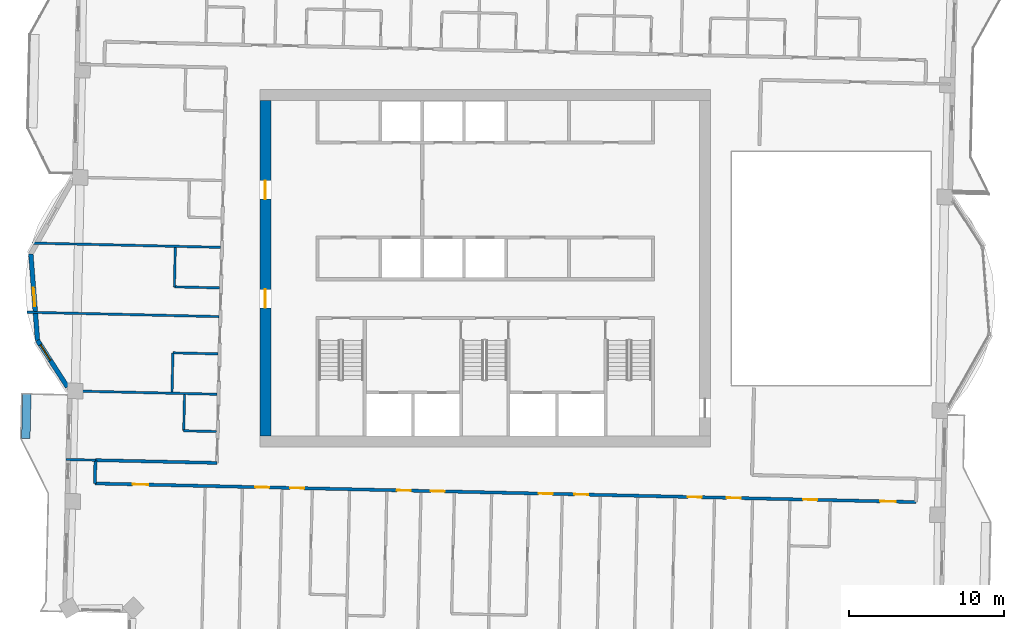
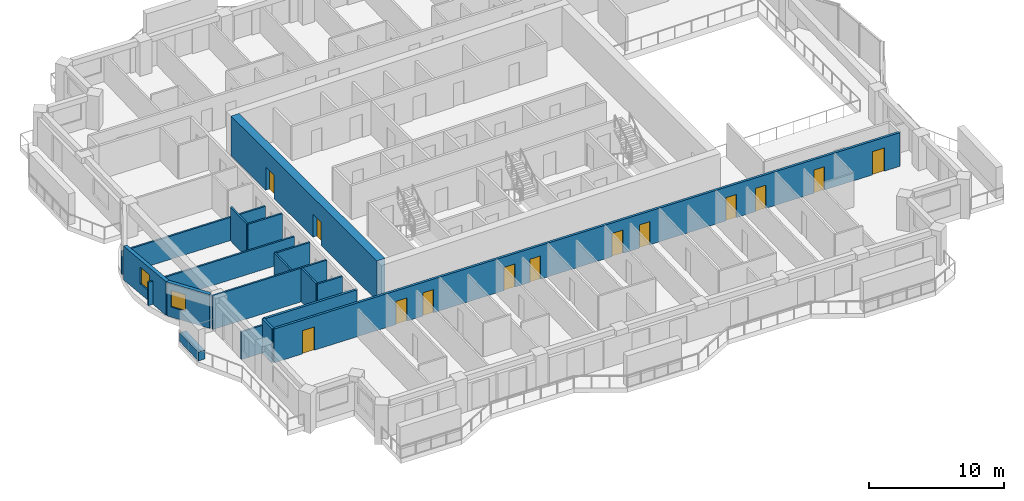
# One storey, part 7 of 17: 17 walls, 13 doors, 2 windows, 15 openings.
"""IFC4 building model written with IfcOpenShell, lengths in metres."""

import ifcopenshell
import ifcopenshell.guid

model = None  # the IFC model being written
_history = None  # IfcOwnerHistory: only IFC2X3 demands one
_inside = {}  # id of a spatial element -> (the spatial element, [elements in it])
_under = {}  # id of a project, library or spatial element -> (it, [spatial elements below it])
_declared = {}  # id of a project -> (the project, [libraries it declares])
_typed = {}  # id of a type object -> (the type object, [elements of that type])
_made_of = {}  # id of a material, layer set ... -> (it, [elements and type objects made of it])


def new_model(schema):
    """Start an empty IFC model of exactly this schema.

    Asked for "IFC4X3", IfcOpenShell would pick the latest addendum, in which some entities
    have other attributes; the version numbers below select the first issue.
    IFC2X3 requires an IfcOwnerHistory on every rooted entity: one is made here for all.
    """
    global model, _history
    if schema == "IFC4X3":
        model = ifcopenshell.file(schema_version=(4, 3, 0, 0))
    else:
        model = ifcopenshell.file(schema=schema)
    _inside.clear()
    _under.clear()
    _declared.clear()
    _typed.clear()
    _made_of.clear()
    _history = None
    if model.schema == "IFC2X3":
        org = make("IfcOrganization", Name="unknown")
        user = make(
            "IfcPersonAndOrganization",
            ThePerson=make("IfcPerson", FamilyName="unknown"),
            TheOrganization=org,
        )
        app = make(
            "IfcApplication",
            ApplicationDeveloper=org,
            Version="unknown",
            ApplicationFullName="unknown",
            ApplicationIdentifier="unknown",
        )
        _history = make(
            "IfcOwnerHistory",
            OwningUser=user,
            OwningApplication=app,
            ChangeAction="ADDED",
            CreationDate=0,
        )
    return model


def make(cls, **values):
    """One entity of the class cls with the attributes given. An attribute that is None is left unset."""
    return model.create_entity(
        cls, **{name: value for name, value in values.items() if value is not None}
    )


def rooted(cls, **values):
    """An entity with a GlobalId (a new one), such as an element, a storey or a relation."""
    return make(cls, GlobalId=ifcopenshell.guid.new(), OwnerHistory=_history, **values)


def si_unit(unit_type, name, prefix=None):
    """IfcSIUnit, for example si_unit("LENGTHUNIT", "METRE", prefix="MILLI")."""
    return make("IfcSIUnit", UnitType=unit_type, Prefix=prefix, Name=name)


def assignment(units):
    """IfcUnitAssignment: the units of a project."""
    return None if units is None else make("IfcUnitAssignment", Units=units)


def point(xyz):
    """IfcCartesianPoint."""
    return None if xyz is None else make("IfcCartesianPoint", Coordinates=xyz)


def direction(xyz):
    """IfcDirection."""
    return None if xyz is None else make("IfcDirection", DirectionRatios=xyz)


def frame(location, z_axis=None, x_axis=None):
    """IfcAxis2Placement3D, a coordinate frame: its origin and axes. An axis left out is left unset."""
    return make(
        "IfcAxis2Placement3D",
        Location=point(location),
        Axis=direction(z_axis),
        RefDirection=direction(x_axis),
    )


def frame_2d(location, x_axis=None):
    """IfcAxis2Placement2D, a coordinate frame in the plane: its origin and x axis."""
    return make(
        "IfcAxis2Placement2D", Location=point(location), RefDirection=direction(x_axis)
    )


def origin():
    """The frame at (0, 0, 0) with its axes left unset."""
    return frame((0.0, 0.0, 0.0))


def place(relative_to, where):
    """IfcLocalPlacement: puts the frame where relative to a parent placement (None: the world)."""
    return make(
        "IfcLocalPlacement", PlacementRelTo=relative_to, RelativePlacement=where
    )


def context(
    kind, dimensions, precision=None, world=None, true_north=None, identifier=None
):
    """IfcGeometricRepresentationContext, for example the 3D "Model" context."""
    return make(
        "IfcGeometricRepresentationContext",
        ContextIdentifier=identifier,
        ContextType=kind,
        CoordinateSpaceDimension=dimensions,
        Precision=precision,
        WorldCoordinateSystem=world,
        TrueNorth=true_north,
    )


def subcontext(parent, identifier, kind, view, scale=None):
    """IfcGeometricRepresentationSubContext, for example "Body" below "Model"."""
    return make(
        "IfcGeometricRepresentationSubContext",
        ContextIdentifier=identifier,
        ContextType=kind,
        ParentContext=parent,
        TargetScale=scale,
        TargetView=view,
    )


def project(units=None, contexts=None):
    """IfcProject with its units and contexts."""
    return rooted(
        "IfcProject",
        Name="project",
        RepresentationContexts=contexts,
        UnitsInContext=assignment(units),
    )


def spatial(cls, under=None, at=None, **own):
    """A site, building, storey or space (cls), placed at a placement, below another one or the project."""
    s = rooted(cls, ObjectPlacement=at, **own)
    if under is not None:
        _under.setdefault(under.id(), (under, []))[1].append(s)
    return s


def profile(cls, at=None, kind="AREA", **sizes):
    """A parametric profile (cls). Its sizes go by their IFC names, for example OverallWidth=200.0."""
    return make(cls, ProfileType=kind, Position=at, **sizes)


def rectangle(**sizes):
    """IfcRectangleProfileDef."""
    return profile("IfcRectangleProfileDef", **sizes)


def extrude(swept, where, along, depth):
    """IfcExtrudedAreaSolid: the profile swept, set in the frame where, extruded along a direction by depth."""
    return make(
        "IfcExtrudedAreaSolid",
        SweptArea=swept,
        Position=where,
        ExtrudedDirection=direction(along),
        Depth=depth,
    )


def shape(context_of_items, identifier, shape_type, items):
    """IfcShapeRepresentation: the items that make up one representation, for example the "Body"."""
    return make(
        "IfcShapeRepresentation",
        ContextOfItems=context_of_items,
        RepresentationIdentifier=identifier,
        RepresentationType=shape_type,
        Items=items,
    )


def material(Name=None, Category=None):
    """IfcMaterial."""
    return make("IfcMaterial", Name=Name, Category=Category)


def layer(
    of_material, thickness, ventilated=None, Name=None, Category=None, Priority=None
):
    """IfcMaterialLayer: one layer of a wall or slab, of a material (None: an air gap)."""
    return make(
        "IfcMaterialLayer",
        Material=of_material,
        LayerThickness=thickness,
        IsVentilated=ventilated,
        Name=Name,
        Category=Category,
        Priority=Priority,
    )


def layer_set(layers, Name=None):
    """IfcMaterialLayerSet."""
    return make("IfcMaterialLayerSet", MaterialLayers=layers, LayerSetName=Name)


def made_of(thing, what):
    """Note that an element or type object is made of a material, layer set ...; save() writes the relation."""
    if what is not None:
        _made_of.setdefault(what.id(), (what, []))[1].append(thing)
    return thing


def type_object(cls, material=None, **own):
    """A type object (cls), such as IfcWallType, which elements share."""
    return made_of(rooted(cls, **own), material)


def element(
    cls,
    number,
    at=None,
    inside=None,
    cuts=None,
    type_object=None,
    material=None,
    context=None,
    identifier="Body",
    shape_type=None,
    held_by="IfcProductDefinitionShape",
    body=None,
    shapes=None,
    **own,
):
    """One element of the class cls, such as IfcWall. Its Tag is "e" and its number.

    at: its placement. inside: the storey or other place that contains it. cuts: it is an
    opening in that element (IfcRelVoidsElement). A single representation is given by context,
    identifier, shape_type and body (its items); several are given by shapes. held_by: the class
    of the entity that holds the representations. save() writes the other relations.
    """
    e = rooted(cls, Tag="e%d" % number, ObjectPlacement=at, **own)
    if body is not None:
        shapes = [shape(context, identifier, shape_type, body)]
    if shapes is not None:
        e.Representation = make(held_by, Representations=shapes)
    if inside is not None:
        _inside.setdefault(inside.id(), (inside, []))[1].append(e)
    if cuts is not None:
        rooted(
            "IfcRelVoidsElement", RelatingBuildingElement=cuts, RelatedOpeningElement=e
        )
    if type_object is not None:
        _typed.setdefault(type_object.id(), (type_object, []))[1].append(e)
    return made_of(e, material)


def fill(opening, filler):
    """IfcRelFillsElement: the door or window that sits in an opening."""
    return rooted(
        "IfcRelFillsElement",
        RelatingOpeningElement=opening,
        RelatedBuildingElement=filler,
    )


def aggregate(whole, parts):
    """IfcRelAggregates: a whole, such as a stair, and the parts it consists of."""
    return rooted("IfcRelAggregates", RelatingObject=whole, RelatedObjects=parts)


def save(model, path):
    """Write the relations noted so far, then the file.

    IfcRelAggregates (storeys below a building ...), IfcRelContainedInSpatialStructure (elements
    in a storey), IfcRelDefinesByType, IfcRelAssociatesMaterial and IfcRelDeclares: one each for
    every whole, place, type object, material and project.
    """
    for whole, parts in _under.values():
        aggregate(whole, parts)
    for where, things in _inside.values():
        rooted(
            "IfcRelContainedInSpatialStructure",
            RelatedElements=things,
            RelatingStructure=where,
        )
    for kind, things in _typed.values():
        rooted("IfcRelDefinesByType", RelatedObjects=things, RelatingType=kind)
    for what, things in _made_of.values():
        rooted("IfcRelAssociatesMaterial", RelatedObjects=things, RelatingMaterial=what)
    for by, libraries in _declared.values():
        rooted("IfcRelDeclares", RelatingContext=by, RelatedDefinitions=libraries)
    model.write(path)


model = new_model("IFC4")

# Units and contexts
model_context = context("Model", 3, precision=1e-05, world=origin(), true_north=direction((0.0, 1.0)))
body_context = subcontext(model_context, "Body", "Model", "MODEL_VIEW")
ifc_project = project(units=[si_unit("LENGTHUNIT", "METRE"), si_unit("AREAUNIT", "SQUARE_METRE"), si_unit("VOLUMEUNIT", "CUBIC_METRE"), si_unit("PLANEANGLEUNIT", "RADIAN"), si_unit("MASSUNIT", "GRAM", prefix="KILO")], contexts=[model_context])

# Site, building, storey
site_placement = place(None, origin())
site = spatial("IfcSite", under=ifc_project, at=site_placement, CompositionType="ELEMENT")
building_placement = place(site_placement, origin())
building = spatial("IfcBuilding", under=site, at=building_placement, Name="Mangrove Gate Tower", CompositionType="ELEMENT")
storey_placement = place(building_placement, frame((0.0, 0.0, 268.10009765625)))
storey = spatial("IfcBuildingStorey", under=building, at=storey_placement, Name="L68", CompositionType="ELEMENT", Elevation=268.10009765625)

# Wall, openings, doors
ifc_material_1 = material(Name="Concrete C50/60", Category="concrete")
ifc_layer_1 = layer(ifc_material_1, 0.699951171875)
ifc_layer_set_1 = layer_set([ifc_layer_1], Name="Core wall 700 C50/60")
wall_type_1 = type_object("IfcWallType", Name="Core wall 700 C50/60", PredefinedType="SHEAR", material=ifc_layer_set_1)
wall_1_placement = place(storey_placement, frame((-14.14990234375, -10.800048828125, 0.0), z_axis=(0.0, 0.0, 1.0), x_axis=(0.0, 1.0, 0.0)))
wall_1 = element("IfcWall", 1, at=wall_1_placement, inside=storey, type_object=wall_type_1, Name="WALL-L68-CORE-3", PredefinedType="SHEAR", context=body_context, shape_type="SweptSolid", body=[
    extrude(rectangle(XDim=21.60009765625, YDim=0.699951171875, at=frame_2d((10.800048828125, 0.0))), origin(), (0.0, 0.0, 1.0), 3.599853515625),
])
opening_1_placement = place(wall_1_placement, frame((8.25, 0.0, 0.0)))
opening_1 = element("IfcOpeningElement", 2, at=opening_1_placement, cuts=wall_1, Name="Opening CD", PredefinedType="OPENING", context=body_context, shape_type="SweptSolid", body=[
    extrude(rectangle(XDim=1.199951171875, YDim=2.10009765625, at=frame_2d((0.60009765625, 1.050048828125))), frame((0.0, 0.35986328125, 0.0), z_axis=(0.0, -1.0, 0.0), x_axis=(1.0, 0.0, 0.0)), (0.0, 0.0, 1.0), 0.719970703125),
])
opening_2_placement = place(wall_1_placement, frame((15.25, 0.0, 0.0)))
opening_2 = element("IfcOpeningElement", 3, at=opening_2_placement, cuts=wall_1, Name="Opening CD", PredefinedType="OPENING", context=body_context, shape_type="SweptSolid", body=[
    extrude(rectangle(XDim=1.199951171875, YDim=2.10009765625, at=frame_2d((0.60009765625, 1.050048828125))), frame((0.0, 0.35986328125, 0.0), z_axis=(0.0, -1.0, 0.0), x_axis=(1.0, 0.0, 0.0)), (0.0, 0.0, 1.0), 0.719970703125),
])
ifc_material_2 = material(Name="Fire-rated steel door set", Category="steel")
door_type_1 = type_object("IfcDoorType", Name="Core ring door FD60 1200x2100", OperationType="DOUBLE_DOOR_SINGLE_SWING", PredefinedType="DOOR", material=ifc_material_2)
door_1_placement = place(opening_1_placement, origin())
door_1 = element("IfcDoor", 4, at=door_1_placement, inside=storey, type_object=door_type_1, Name="Core ring door W1", OperationType="DOUBLE_DOOR_SINGLE_SWING", OverallHeight=2.10009765625, OverallWidth=1.199951171875, PredefinedType="DOOR", context=body_context, shape_type="SweptSolid", body=[
    extrude(rectangle(XDim=1.199951171875, YDim=2.10009765625, at=frame_2d((0.60009765625, 1.050048828125))), frame((0.0, 0.02490234375, 0.0), z_axis=(0.0, -1.0, 0.0), x_axis=(1.0, 0.0, 0.0)), (0.0, 0.0, 1.0), 0.050048828125),
])
fill(opening_1, door_1)
door_2_placement = place(opening_2_placement, origin())
door_2 = element("IfcDoor", 5, at=door_2_placement, inside=storey, type_object=door_type_1, Name="Core ring door W2", OperationType="DOUBLE_DOOR_SINGLE_SWING", OverallHeight=2.10009765625, OverallWidth=1.199951171875, PredefinedType="DOOR", context=body_context, shape_type="SweptSolid", body=[
    extrude(rectangle(XDim=1.199951171875, YDim=2.10009765625, at=frame_2d((0.60009765625, 1.050048828125))), frame((0.0, 0.02490234375, 0.0), z_axis=(0.0, -1.0, 0.0), x_axis=(1.0, 0.0, 0.0)), (0.0, 0.0, 1.0), 0.050048828125),
])
fill(opening_2, door_2)

# Wall
ifc_material_3 = material(Name="Gypsum board on steel stud, EI 60", Category="steel")
ifc_layer_2 = layer(ifc_material_3, 0.199951171875)
ifc_layer_set_2 = layer_set([ifc_layer_2], Name="Corridor wall EI 60")
wall_type_2 = type_object("IfcWallType", Name="Corridor wall EI 60", PredefinedType="PARTITIONING", material=ifc_layer_set_2)
wall_2_placement = place(storey_placement, frame((-25.1240234375, -13.846923828125, 0.0), z_axis=(0.0, 0.0, 1.0), x_axis=(0.022617910375, 0.999744182344, 0.0)))
element("IfcWall", 6, at=wall_2_placement, inside=storey, type_object=wall_type_2, Name="WALL-L68-026", PredefinedType="PARTITIONING", context=body_context, shape_type="SweptSolid", body=[
    extrude(rectangle(XDim=1.50048828125, YDim=0.199951171875, at=frame_2d((0.750244140625, 0.0))), origin(), (0.0, 0.0, 1.0), 3.0498046875),
])

# Wall, openings, doors
wall_3_placement = place(storey_placement, frame((-25.1201171875, -13.846923828125, 0.0), z_axis=(0.0, 0.0, 1.0), x_axis=(0.999742852445, -0.022676617578, 0.0)))
wall_3 = element("IfcWall", 7, at=wall_3_placement, inside=storey, type_object=wall_type_2, Name="WALL-L68-027", PredefinedType="PARTITIONING", context=body_context, shape_type="SweptSolid", body=[
    extrude(rectangle(XDim=52.872802734375, YDim=0.199951171875, at=frame_2d((26.4365234375, 0.0))), origin(), (0.0, 0.0, 1.0), 3.0498046875),
])
opening_3_placement = place(wall_3_placement, frame((2.429931640625, 0.0, 0.0)))
opening_3 = element("IfcOpeningElement", 8, at=opening_3_placement, cuts=wall_3, Name="Opening AD", PredefinedType="OPENING", context=body_context, shape_type="SweptSolid", body=[
    extrude(rectangle(XDim=1.0, YDim=2.10009765625, at=frame_2d((0.5, 1.050048828125))), frame((0.0, 0.10986328125, 0.0), z_axis=(0.0, -1.0, 0.0), x_axis=(1.0, 0.0, 0.0)), (0.0, 0.0, 1.0), 0.219970703125),
])
opening_4_placement = place(wall_3_placement, frame((10.324951171875, 0.0, 0.0)))
opening_4 = element("IfcOpeningElement", 9, at=opening_4_placement, cuts=wall_3, Name="Opening BD", PredefinedType="OPENING", context=body_context, shape_type="SweptSolid", body=[
    extrude(rectangle(XDim=0.89990234375, YDim=2.10009765625, at=frame_2d((0.449951171875, 1.050048828125))), frame((0.0, 0.10986328125, 0.0), z_axis=(0.0, -1.0, 0.0), x_axis=(1.0, 0.0, 0.0)), (0.0, 0.0, 1.0), 0.219970703125),
])
opening_5_placement = place(wall_3_placement, frame((12.574951171875, 0.0, 0.0)))
opening_5 = element("IfcOpeningElement", 10, at=opening_5_placement, cuts=wall_3, Name="Opening BD", PredefinedType="OPENING", context=body_context, shape_type="SweptSolid", body=[
    extrude(rectangle(XDim=0.89990234375, YDim=2.10009765625, at=frame_2d((0.449951171875, 1.050048828125))), frame((0.0, 0.10986328125, 0.0), z_axis=(0.0, -1.0, 0.0), x_axis=(1.0, 0.0, 0.0)), (0.0, 0.0, 1.0), 0.219970703125),
])
opening_6_placement = place(wall_3_placement, frame((19.449951171875, 0.0, 0.0)))
opening_6 = element("IfcOpeningElement", 11, at=opening_6_placement, cuts=wall_3, Name="Opening BD", PredefinedType="OPENING", context=body_context, shape_type="SweptSolid", body=[
    extrude(rectangle(XDim=0.89990234375, YDim=2.10009765625, at=frame_2d((0.449951171875, 1.050048828125))), frame((0.0, 0.10986328125, 0.0), z_axis=(0.0, -1.0, 0.0), x_axis=(1.0, 0.0, 0.0)), (0.0, 0.0, 1.0), 0.219970703125),
])
opening_7_placement = place(wall_3_placement, frame((21.625, 0.0, 0.0)))
opening_7 = element("IfcOpeningElement", 12, at=opening_7_placement, cuts=wall_3, Name="Opening BD", PredefinedType="OPENING", context=body_context, shape_type="SweptSolid", body=[
    extrude(rectangle(XDim=0.89990234375, YDim=2.10009765625, at=frame_2d((0.449951171875, 1.050048828125))), frame((0.0, 0.10986328125, 0.0), z_axis=(0.0, -1.0, 0.0), x_axis=(1.0, 0.0, 0.0)), (0.0, 0.0, 1.0), 0.219970703125),
])
opening_8_placement = place(wall_3_placement, frame((28.574951171875, 0.0, 0.0)))
opening_8 = element("IfcOpeningElement", 13, at=opening_8_placement, cuts=wall_3, Name="Opening BD", PredefinedType="OPENING", context=body_context, shape_type="SweptSolid", body=[
    extrude(rectangle(XDim=0.89990234375, YDim=2.10009765625, at=frame_2d((0.449951171875, 1.050048828125))), frame((0.0, 0.10986328125, 0.0), z_axis=(0.0, -1.0, 0.0), x_axis=(1.0, 0.0, 0.0)), (0.0, 0.0, 1.0), 0.219970703125),
])
opening_9_placement = place(wall_3_placement, frame((30.875, 0.0, 0.0)))
opening_9 = element("IfcOpeningElement", 14, at=opening_9_placement, cuts=wall_3, Name="Opening BD", PredefinedType="OPENING", context=body_context, shape_type="SweptSolid", body=[
    extrude(rectangle(XDim=0.89990234375, YDim=2.10009765625, at=frame_2d((0.449951171875, 1.050048828125))), frame((0.0, 0.10986328125, 0.0), z_axis=(0.0, -1.0, 0.0), x_axis=(1.0, 0.0, 0.0)), (0.0, 0.0, 1.0), 0.219970703125),
])
opening_10_placement = place(wall_3_placement, frame((38.175048828125, 0.0, 0.0)))
opening_10 = element("IfcOpeningElement", 15, at=opening_10_placement, cuts=wall_3, Name="Opening BD", PredefinedType="OPENING", context=body_context, shape_type="SweptSolid", body=[
    extrude(rectangle(XDim=0.89990234375, YDim=2.10009765625, at=frame_2d((0.449951171875, 1.050048828125))), frame((0.0, 0.10986328125, 0.0), z_axis=(0.0, -1.0, 0.0), x_axis=(1.0, 0.0, 0.0)), (0.0, 0.0, 1.0), 0.219970703125),
])
opening_11_placement = place(wall_3_placement, frame((40.675048828125, 0.0, 0.0)))
opening_11 = element("IfcOpeningElement", 16, at=opening_11_placement, cuts=wall_3, Name="Opening BD", PredefinedType="OPENING", context=body_context, shape_type="SweptSolid", body=[
    extrude(rectangle(XDim=0.89990234375, YDim=2.10009765625, at=frame_2d((0.449951171875, 1.050048828125))), frame((0.0, 0.10986328125, 0.0), z_axis=(0.0, -1.0, 0.0), x_axis=(1.0, 0.0, 0.0)), (0.0, 0.0, 1.0), 0.219970703125),
])
opening_12_placement = place(wall_3_placement, frame((50.56103515625, 0.0, 0.0)))
opening_12 = element("IfcOpeningElement", 17, at=opening_12_placement, cuts=wall_3, Name="Opening AD", PredefinedType="OPENING", context=body_context, shape_type="SweptSolid", body=[
    extrude(rectangle(XDim=1.0, YDim=2.10009765625, at=frame_2d((0.5, 1.050048828125))), frame((0.0, 0.10986328125, 0.0), z_axis=(0.0, -1.0, 0.0), x_axis=(1.0, 0.0, 0.0)), (0.0, 0.0, 1.0), 0.219970703125),
])
opening_13_placement = place(wall_3_placement, frame((45.60009765625, 0.0, 0.0)))
opening_13 = element("IfcOpeningElement", 18, at=opening_13_placement, cuts=wall_3, Name="Opening SD", PredefinedType="OPENING", context=body_context, shape_type="SweptSolid", body=[
    extrude(rectangle(XDim=0.89990234375, YDim=2.10009765625, at=frame_2d((0.449951171875, 1.050048828125))), frame((0.0, 0.10986328125, 0.0), z_axis=(0.0, -1.0, 0.0), x_axis=(1.0, 0.0, 0.0)), (0.0, 0.0, 1.0), 0.219970703125),
])
ifc_material_4 = material(Name="Timber door leaf", Category="wood")
door_type_2 = type_object("IfcDoorType", Name="Amenity door 1000", OperationType="SINGLE_SWING_LEFT", PredefinedType="DOOR", material=ifc_material_4)
door_3_placement = place(opening_3_placement, origin())
door_3 = element("IfcDoor", 19, at=door_3_placement, inside=storey, type_object=door_type_2, Name="DOOR-L68-KIT-c1a", OperationType="SINGLE_SWING_LEFT", OverallHeight=2.10009765625, OverallWidth=1.0, PredefinedType="DOOR", context=body_context, shape_type="SweptSolid", body=[
    extrude(rectangle(XDim=1.0, YDim=2.10009765625, at=frame_2d((0.5, 1.050048828125))), frame((0.0, 0.02490234375, 0.0), z_axis=(0.0, -1.0, 0.0), x_axis=(1.0, 0.0, 0.0)), (0.0, 0.0, 1.0), 0.050048828125),
])
fill(opening_3, door_3)
door_4_placement = place(opening_12_placement, origin())
door_4 = element("IfcDoor", 20, at=door_4_placement, inside=storey, type_object=door_type_2, Name="DOOR-L68-KIT-c3a", OperationType="SINGLE_SWING_RIGHT", OverallHeight=2.10009765625, OverallWidth=1.0, PredefinedType="DOOR", context=body_context, shape_type="SweptSolid", body=[
    extrude(rectangle(XDim=1.0, YDim=2.10009765625, at=frame_2d((0.5, 1.050048828125))), frame((0.0, 0.02490234375, 0.0), z_axis=(0.0, -1.0, 0.0), x_axis=(1.0, 0.0, 0.0)), (0.0, 0.0, 1.0), 0.050048828125),
])
fill(opening_12, door_4)
ifc_material_5 = material(Name="Timber door leaf", Category="wood")
door_type_3 = type_object("IfcDoorType", Name="Bedroom door 900", OperationType="SINGLE_SWING_LEFT", PredefinedType="DOOR", material=ifc_material_5)
door_5_placement = place(opening_4_placement, origin())
door_5 = element("IfcDoor", 21, at=door_5_placement, inside=storey, type_object=door_type_3, Name="DOOR-L68-BED-c101", OperationType="SINGLE_SWING_LEFT", OverallHeight=2.10009765625, OverallWidth=0.89990234375, PredefinedType="DOOR", context=body_context, shape_type="SweptSolid", body=[
    extrude(rectangle(XDim=0.89990234375, YDim=2.10009765625, at=frame_2d((0.449951171875, 1.050048828125))), frame((0.0, 0.02490234375, 0.0), z_axis=(0.0, -1.0, 0.0), x_axis=(1.0, 0.0, 0.0)), (0.0, 0.0, 1.0), 0.050048828125),
])
fill(opening_4, door_5)
door_6_placement = place(opening_5_placement, origin())
door_6 = element("IfcDoor", 22, at=door_6_placement, inside=storey, type_object=door_type_3, Name="DOOR-L68-BED-c102", OperationType="SINGLE_SWING_RIGHT", OverallHeight=2.10009765625, OverallWidth=0.89990234375, PredefinedType="DOOR", context=body_context, shape_type="SweptSolid", body=[
    extrude(rectangle(XDim=0.89990234375, YDim=2.10009765625, at=frame_2d((0.449951171875, 1.050048828125))), frame((0.0, 0.02490234375, 0.0), z_axis=(0.0, -1.0, 0.0), x_axis=(1.0, 0.0, 0.0)), (0.0, 0.0, 1.0), 0.050048828125),
])
fill(opening_5, door_6)
door_7_placement = place(opening_6_placement, origin())
door_7 = element("IfcDoor", 23, at=door_7_placement, inside=storey, type_object=door_type_3, Name="DOOR-L68-BED-c103", OperationType="SINGLE_SWING_LEFT", OverallHeight=2.10009765625, OverallWidth=0.89990234375, PredefinedType="DOOR", context=body_context, shape_type="SweptSolid", body=[
    extrude(rectangle(XDim=0.89990234375, YDim=2.10009765625, at=frame_2d((0.449951171875, 1.050048828125))), frame((0.0, 0.02490234375, 0.0), z_axis=(0.0, -1.0, 0.0), x_axis=(1.0, 0.0, 0.0)), (0.0, 0.0, 1.0), 0.050048828125),
])
fill(opening_6, door_7)
door_8_placement = place(opening_7_placement, origin())
door_8 = element("IfcDoor", 24, at=door_8_placement, inside=storey, type_object=door_type_3, Name="DOOR-L68-BED-c104", OperationType="SINGLE_SWING_RIGHT", OverallHeight=2.10009765625, OverallWidth=0.89990234375, PredefinedType="DOOR", context=body_context, shape_type="SweptSolid", body=[
    extrude(rectangle(XDim=0.89990234375, YDim=2.10009765625, at=frame_2d((0.449951171875, 1.050048828125))), frame((0.0, 0.02490234375, 0.0), z_axis=(0.0, -1.0, 0.0), x_axis=(1.0, 0.0, 0.0)), (0.0, 0.0, 1.0), 0.050048828125),
])
fill(opening_7, door_8)
door_9_placement = place(opening_8_placement, origin())
door_9 = element("IfcDoor", 25, at=door_9_placement, inside=storey, type_object=door_type_3, Name="DOOR-L68-BED-c205", OperationType="SINGLE_SWING_LEFT", OverallHeight=2.10009765625, OverallWidth=0.89990234375, PredefinedType="DOOR", context=body_context, shape_type="SweptSolid", body=[
    extrude(rectangle(XDim=0.89990234375, YDim=2.10009765625, at=frame_2d((0.449951171875, 1.050048828125))), frame((0.0, 0.02490234375, 0.0), z_axis=(0.0, -1.0, 0.0), x_axis=(1.0, 0.0, 0.0)), (0.0, 0.0, 1.0), 0.050048828125),
])
fill(opening_8, door_9)
door_10_placement = place(opening_9_placement, origin())
door_10 = element("IfcDoor", 26, at=door_10_placement, inside=storey, type_object=door_type_3, Name="DOOR-L68-BED-c206", OperationType="SINGLE_SWING_RIGHT", OverallHeight=2.10009765625, OverallWidth=0.89990234375, PredefinedType="DOOR", context=body_context, shape_type="SweptSolid", body=[
    extrude(rectangle(XDim=0.89990234375, YDim=2.10009765625, at=frame_2d((0.449951171875, 1.050048828125))), frame((0.0, 0.02490234375, 0.0), z_axis=(0.0, -1.0, 0.0), x_axis=(1.0, 0.0, 0.0)), (0.0, 0.0, 1.0), 0.050048828125),
])
fill(opening_9, door_10)
door_11_placement = place(opening_10_placement, origin())
door_11 = element("IfcDoor", 27, at=door_11_placement, inside=storey, type_object=door_type_3, Name="DOOR-L68-BED-c207", OperationType="SINGLE_SWING_LEFT", OverallHeight=2.10009765625, OverallWidth=0.89990234375, PredefinedType="DOOR", context=body_context, shape_type="SweptSolid", body=[
    extrude(rectangle(XDim=0.89990234375, YDim=2.10009765625, at=frame_2d((0.449951171875, 1.050048828125))), frame((0.0, 0.02490234375, 0.0), z_axis=(0.0, -1.0, 0.0), x_axis=(1.0, 0.0, 0.0)), (0.0, 0.0, 1.0), 0.050048828125),
])
fill(opening_10, door_11)
door_12_placement = place(opening_11_placement, origin())
door_12 = element("IfcDoor", 28, at=door_12_placement, inside=storey, type_object=door_type_3, Name="DOOR-L68-BED-c308", OperationType="SINGLE_SWING_RIGHT", OverallHeight=2.10009765625, OverallWidth=0.89990234375, PredefinedType="DOOR", context=body_context, shape_type="SweptSolid", body=[
    extrude(rectangle(XDim=0.89990234375, YDim=2.10009765625, at=frame_2d((0.449951171875, 1.050048828125))), frame((0.0, 0.02490234375, 0.0), z_axis=(0.0, -1.0, 0.0), x_axis=(1.0, 0.0, 0.0)), (0.0, 0.0, 1.0), 0.050048828125),
])
fill(opening_11, door_12)
ifc_material_6 = material(Name="Timber door leaf", Category="wood")
door_type_4 = type_object("IfcDoorType", Name="Service room door 900", OperationType="SINGLE_SWING_LEFT", PredefinedType="DOOR", material=ifc_material_6)
door_13_placement = place(opening_13_placement, origin())
door_13 = element("IfcDoor", 29, at=door_13_placement, inside=storey, type_object=door_type_4, Name="DOOR-L68-AWC-c3a", OperationType="SINGLE_SWING_LEFT", OverallHeight=2.10009765625, OverallWidth=0.89990234375, PredefinedType="DOOR", context=body_context, shape_type="SweptSolid", body=[
    extrude(rectangle(XDim=0.89990234375, YDim=2.10009765625, at=frame_2d((0.449951171875, 1.050048828125))), frame((0.0, 0.02490234375, 0.0), z_axis=(0.0, -1.0, 0.0), x_axis=(1.0, 0.0, 0.0)), (0.0, 0.0, 1.0), 0.050048828125),
])
fill(opening_13, door_13)

# Wall
wall_4_placement = place(storey_placement, frame((-25.0859375, -12.346923828125, 0.0), z_axis=(0.0, 0.0, 1.0), x_axis=(0.999741690667, -0.022727779103, 0.0)))
element("IfcWall", 30, at=wall_4_placement, inside=storey, type_object=wall_type_2, Name="WALL-L68-030", PredefinedType="PARTITIONING", context=body_context, shape_type="SweptSolid", body=[
    extrude(rectangle(XDim=7.830810546875, YDim=0.199951171875, at=frame_2d((3.91552734375, 0.0))), origin(), (0.0, 0.0, 1.0), 3.0498046875),
])

# Wall, opening, window
ifc_material_7 = material(Name="Limestone", Category="masonry")
ifc_layer_3 = layer(ifc_material_7, 0.0400390625, Name="Limestone cladding")
ifc_material_8 = material(Name="Ventilated air gap")
ifc_layer_4 = layer(ifc_material_8, 0.0400390625, Name="Ventilated cavity")
ifc_material_9 = material(Name="Mineral wool insulation")
ifc_layer_5 = layer(ifc_material_9, 0.06005859375, Name="Insulation")
ifc_material_10 = material(Name="Breather membrane")
ifc_layer_6 = layer(ifc_material_10, 0.001953125, Name="Breather membrane")
ifc_material_11 = material(Name="Concrete C20/25 blockwork", Category="masonry")
ifc_layer_7 = layer(ifc_material_11, 0.14990234375, Name="Blockwork backing wall")
ifc_material_12 = material(Name="Gypsum plaster")
ifc_layer_8 = layer(ifc_material_12, 0.008056640625, Name="Internal plaster")
ifc_layer_set_3 = layer_set([ifc_layer_3, ifc_layer_4, ifc_layer_5, ifc_layer_6, ifc_layer_7, ifc_layer_8], Name="External wall 300 limestone cladding")
wall_type_3 = type_object("IfcWallType", Name="External wall 300 limestone cladding", PredefinedType="SOLIDWALL", material=ifc_layer_set_3)
wall_5_placement = place(storey_placement, frame((-29.2470703125, 0.924072265625, 0.0), z_axis=(0.0, 0.0, 1.0), x_axis=(0.076961115238, -0.997034095075, 0.0)))
wall_5 = element("IfcWall", 31, at=wall_5_placement, inside=storey, type_object=wall_type_3, Name="WALL-L68-W9f2", PredefinedType="SOLIDWALL", context=body_context, shape_type="SweptSolid", body=[
    extrude(rectangle(XDim=5.57373046875, YDim=0.300048828125, at=frame_2d((2.786865234375, 0.0))), origin(), (0.0, 0.0, 1.0), 3.0498046875),
])
opening_14_placement = place(wall_5_placement, frame((2.172119140625, 0.0, 0.89990234375)))
opening_14 = element("IfcOpeningElement", 32, at=opening_14_placement, cuts=wall_5, Name="Opening W1", PredefinedType="OPENING", context=body_context, shape_type="SweptSolid", body=[
    extrude(rectangle(XDim=1.199951171875, YDim=1.5, at=frame_2d((0.60009765625, 0.75))), frame((0.0, 0.159912109375, 0.0), z_axis=(0.0, -1.0, 0.0), x_axis=(1.0, 0.0, 0.0)), (0.0, 0.0, 1.0), 0.320068359375),
])
ifc_material_13 = material(Name="Aluminium frame with double-glazed low-e glass", Category="aluminium")
window_type = type_object("IfcWindowType", Name="Side lite 1200x1500", PartitioningType="SINGLE_PANEL", PredefinedType="WINDOW", material=ifc_material_13)
window_1_placement = place(opening_14_placement, origin())
window_1 = element("IfcWindow", 33, at=window_1_placement, inside=storey, type_object=window_type, Name="WIN-L68-W9f2", OverallHeight=1.5, OverallWidth=1.199951171875, PartitioningType="SINGLE_PANEL", PredefinedType="WINDOW", context=body_context, shape_type="SweptSolid", body=[
    extrude(rectangle(XDim=1.199951171875, YDim=1.5, at=frame_2d((0.60009765625, 0.75))), frame((0.0, 0.030029296875, 0.0), z_axis=(0.0, -1.0, 0.0), x_axis=(1.0, 0.0, 0.0)), (0.0, 0.0, 1.0), 0.06005859375),
])
fill(opening_14, window_1)

wall_6_placement = place(storey_placement, frame((-28.818115234375, -4.633056640625, 0.0), z_axis=(0.0, 0.0, 1.0), x_axis=(0.540633100578, -0.841258492117, 0.0)))
wall_6 = element("IfcWall", 34, at=wall_6_placement, inside=storey, type_object=wall_type_3, Name="WALL-L68-W9f3", PredefinedType="SOLIDWALL", context=body_context, shape_type="SweptSolid", body=[
    extrude(rectangle(XDim=3.568359375, YDim=0.300048828125, at=frame_2d((1.7841796875, 0.0))), origin(), (0.0, 0.0, 1.0), 3.0498046875),
])
opening_15_placement = place(wall_6_placement, frame((0.337890625, 0.0, 0.89990234375)))
opening_15 = element("IfcOpeningElement", 35, at=opening_15_placement, cuts=wall_6, Name="Opening W1", PredefinedType="OPENING", context=body_context, shape_type="SweptSolid", body=[
    extrude(rectangle(XDim=1.199951171875, YDim=1.5, at=frame_2d((0.60009765625, 0.75))), frame((0.0, 0.159912109375, 0.0), z_axis=(0.0, -1.0, 0.0), x_axis=(1.0, 0.0, 0.0)), (0.0, 0.0, 1.0), 0.320068359375),
])
window_2_placement = place(opening_15_placement, origin())
window_2 = element("IfcWindow", 36, at=window_2_placement, inside=storey, type_object=window_type, Name="WIN-L68-W9f3", OverallHeight=1.5, OverallWidth=1.199951171875, PartitioningType="SINGLE_PANEL", PredefinedType="WINDOW", context=body_context, shape_type="SweptSolid", body=[
    extrude(rectangle(XDim=1.199951171875, YDim=1.5, at=frame_2d((0.60009765625, 0.75))), frame((0.0, 0.030029296875, 0.0), z_axis=(0.0, -1.0, 0.0), x_axis=(1.0, 0.0, 0.0)), (0.0, 0.0, 1.0), 0.06005859375),
])
fill(opening_15, window_2)

# Walls
ifc_material_14 = material(Name="Gypsum board on steel stud, EI 60", Category="steel")
ifc_layer_9 = layer(ifc_material_14, 0.14990234375)
ifc_layer_set_4 = layer_set([ifc_layer_9], Name="Party wall 150 EI 60")
wall_type_4 = type_object("IfcWallType", Name="Party wall 150 EI 60", PredefinedType="PARTITIONING", material=ifc_layer_set_4)
wall_7_placement = place(storey_placement, frame((-26.985107421875, -12.303955078125, 0.0), z_axis=(0.0, 0.0, 1.0), x_axis=(0.999744152544, -0.022619227516, 0.0)))
element("IfcWall", 37, at=wall_7_placement, inside=storey, type_object=wall_type_4, Name="WALL-L68-029", PredefinedType="PARTITIONING", context=body_context, shape_type="SweptSolid", body=[
    extrude(rectangle(XDim=1.899658203125, YDim=0.14990234375, at=frame_2d((0.94970703125, 0.0))), origin(), (0.0, 0.0, 1.0), 2.5),
])
wall_8_placement = place(storey_placement, frame((-19.409912109375, -10.4560546875, 0.0), z_axis=(0.0, 0.0, 1.0), x_axis=(0.999750703499, -0.022327804475, 0.0)))
element("IfcWall", 38, at=wall_8_placement, inside=storey, type_object=wall_type_4, Name="WALL-L68-035", PredefinedType="PARTITIONING", context=body_context, shape_type="SweptSolid", body=[
    extrude(rectangle(XDim=2.099365234375, YDim=0.14990234375, at=frame_2d((1.0498046875, 0.0))), origin(), (0.0, 0.0, 1.0), 3.0498046875),
])
wall_9_placement = place(storey_placement, frame((-19.405029296875, -10.450927734375, 0.0), z_axis=(0.0, 0.0, 1.0), x_axis=(0.022781023197, 0.999740478815, 0.0)))
element("IfcWall", 39, at=wall_9_placement, inside=storey, type_object=wall_type_4, Name="WALL-L68-036", PredefinedType="PARTITIONING", context=body_context, shape_type="SweptSolid", body=[
    extrude(rectangle(XDim=2.325439453125, YDim=0.14990234375, at=frame_2d((1.16259765625, 0.0))), origin(), (0.0, 0.0, 1.0), 3.0498046875),
])
wall_10_placement = place(storey_placement, frame((-26.885009765625, -7.885009765625, 0.0), z_axis=(0.0, 0.0, 1.0), x_axis=(0.999741468995, -0.022737527832, 0.0)))
element("IfcWall", 40, at=wall_10_placement, inside=storey, type_object=wall_type_4, Name="WALL-L68-037", PredefinedType="PARTITIONING", context=body_context, shape_type="SweptSolid", body=[
    extrude(rectangle(XDim=9.63134765625, YDim=0.14990234375, at=frame_2d((4.815673828125, 0.0))), origin(), (0.0, 0.0, 1.0), 3.0498046875),
])
wall_11_placement = place(storey_placement, frame((-20.158935546875, -7.9580078125, 0.0), z_axis=(0.0, 0.0, 1.0), x_axis=(0.022919108675, 0.999737322729, 0.0)))
element("IfcWall", 41, at=wall_11_placement, inside=storey, type_object=wall_type_4, Name="WALL-L68-038", PredefinedType="PARTITIONING", context=body_context, shape_type="SweptSolid", body=[
    extrude(rectangle(XDim=2.524658203125, YDim=0.14990234375, at=frame_2d((1.26220703125, 0.0))), origin(), (0.0, 0.0, 1.0), 3.0498046875),
])
wall_12_placement = place(storey_placement, frame((-20.096923828125, -5.43896484375, 0.0), z_axis=(0.0, 0.0, 1.0), x_axis=(0.999741748633, -0.022725229174, 0.0)))
element("IfcWall", 42, at=wall_12_placement, inside=storey, type_object=wall_type_4, Name="WALL-L68-039", PredefinedType="PARTITIONING", context=body_context, shape_type="SweptSolid", body=[
    extrude(rectangle(XDim=2.900634765625, YDim=0.14990234375, at=frame_2d((1.4501953125, 0.0))), origin(), (0.0, 0.0, 1.0), 3.0498046875),
])
wall_13_placement = place(storey_placement, frame((-29.48291015625, -2.824951171875, 0.0), z_axis=(0.0, 0.0, 1.0), x_axis=(0.999742611035, -0.022687258129, 0.0)))
element("IfcWall", 43, at=wall_13_placement, inside=storey, type_object=wall_type_4, Name="WALL-L68-040", PredefinedType="PARTITIONING", context=body_context, shape_type="SweptSolid", body=[
    extrude(rectangle(XDim=12.343017578125, YDim=0.14990234375, at=frame_2d((6.17138671875, 0.0))), origin(), (0.0, 0.0, 1.0), 2.099853515625),
])
wall_14_placement = place(storey_placement, frame((-20.0, -1.18994140625, 0.0), z_axis=(0.0, 0.0, 1.0), x_axis=(0.999739657619, -0.022817032779, 0.0)))
element("IfcWall", 44, at=wall_14_placement, inside=storey, type_object=wall_type_4, Name="WALL-L68-041", PredefinedType="PARTITIONING", context=body_context, shape_type="SweptSolid", body=[
    extrude(rectangle(XDim=2.899658203125, YDim=0.14990234375, at=frame_2d((1.44970703125, 0.0))), origin(), (0.0, 0.0, 1.0), 3.0498046875),
])
wall_15_placement = place(storey_placement, frame((-20.0048828125, -1.18505859375, 0.0), z_axis=(0.0, 0.0, 1.0), x_axis=(0.022521599255, 0.999746356616, 0.0)))
element("IfcWall", 45, at=wall_15_placement, inside=storey, type_object=wall_type_4, Name="WALL-L68-042", PredefinedType="PARTITIONING", context=body_context, shape_type="SweptSolid", body=[
    extrude(rectangle(XDim=2.52587890625, YDim=0.14990234375, at=frame_2d((1.262939453125, 0.0))), origin(), (0.0, 0.0, 1.0), 3.0498046875),
])
wall_16_placement = place(storey_placement, frame((-29.172119140625, 1.62890625, 0.0), z_axis=(0.0, 0.0, 1.0), x_axis=(0.999743298181, -0.02265695791, 0.0)))
element("IfcWall", 46, at=wall_16_placement, inside=storey, type_object=wall_type_4, Name="WALL-L68-043", PredefinedType="PARTITIONING", context=body_context, shape_type="SweptSolid", body=[
    extrude(rectangle(XDim=12.13330078125, YDim=0.14990234375, at=frame_2d((6.066650390625, 0.0))), origin(), (0.0, 0.0, 1.0), 2.099853515625),
])
ifc_material_15 = material(Name="Concrete C32/40", Category="concrete")
ifc_layer_10 = layer(ifc_material_15, 0.199951171875, Name="Planter trough wall")
ifc_material_16 = material(Name="Bituminous waterproofing membrane")
ifc_layer_11 = layer(ifc_material_16, 0.0048828125, Name="Waterproofing")
ifc_material_17 = material(Name="Drainage board and gravel")
ifc_layer_12 = layer(ifc_material_17, 0.044921875, Name="Drainage layer")
ifc_material_18 = material(Name="Planting soil")
ifc_layer_13 = layer(ifc_material_18, 0.300048828125, Name="Growing medium")
ifc_layer_set_5 = layer_set([ifc_layer_10, ifc_layer_11, ifc_layer_12, ifc_layer_13], Name="Planter wall 550 C32/40")
wall_type_5 = type_object("IfcWallType", Name="Planter wall 550 C32/40", PredefinedType="USERDEFINED", material=ifc_layer_set_5)
wall_17_placement = place(storey_placement, frame((-29.570068359375, -10.945068359375, 0.0), z_axis=(0.0, 0.0, 1.0), x_axis=(0.022675106248, 0.999742886725, 0.0)))
element("IfcWall", 47, at=wall_17_placement, inside=storey, type_object=wall_type_5, Name="PLANTER L68 W1.1", ObjectType="PLANTER", PredefinedType="USERDEFINED", context=body_context, shape_type="SweptSolid", body=[
    extrude(rectangle(XDim=2.874755859375, YDim=0.550048828125, at=frame_2d((1.4375, 0.0))), origin(), (0.0, 0.0, 1.0), 0.7998046875),
])

save(model, "model.ifc")
